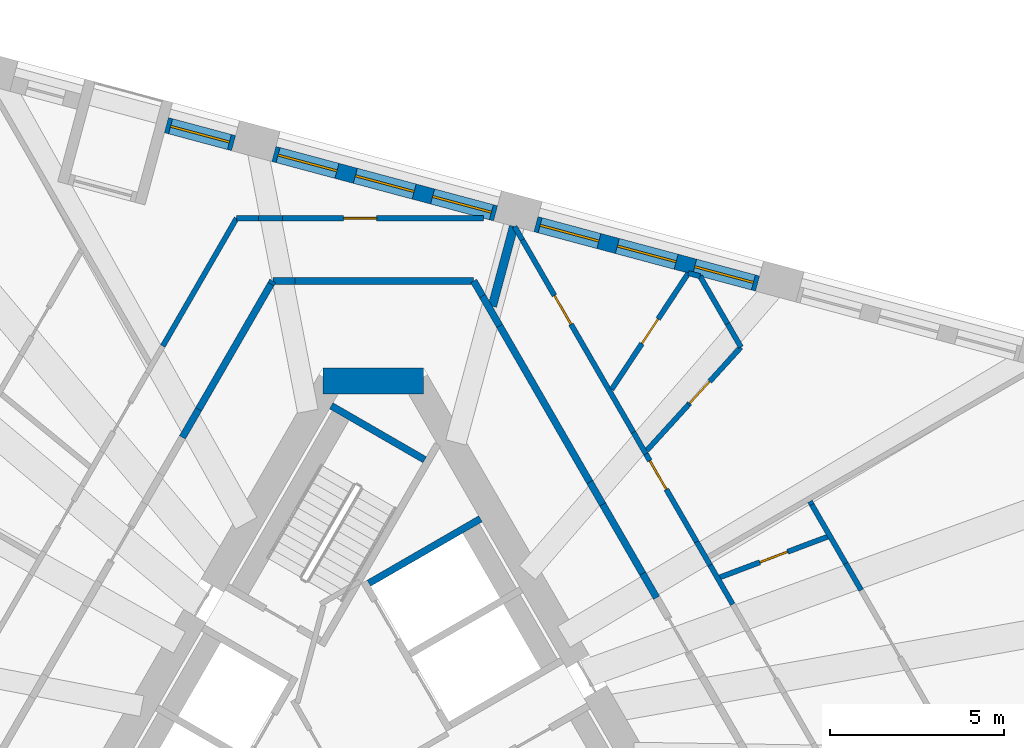
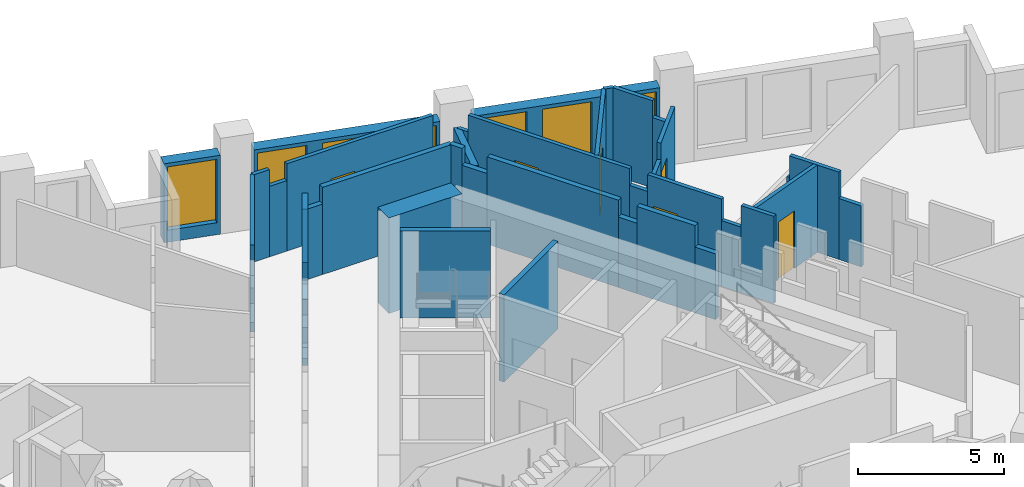
# One storey, part 8 of 13: 38 walls, 7 windows, 6 doors, 13 openings.
"""IFC4 building model written with IfcOpenShell, lengths in metres."""

from ifc_helpers import new_model, si_unit, direction, frame, frame_2d, origin, place, context, subcontext, project, spatial, rectangle, extrude, material, layer, layer_set, type_object, element, fill, save


model = new_model("IFC4")

# Units and contexts
model_context = context("Model", 3, precision=1e-05, world=origin(), true_north=direction((0.0, 1.0)))
body_context = subcontext(model_context, "Body", "Model", "MODEL_VIEW")
ifc_project = project(units=[si_unit("LENGTHUNIT", "METRE"), si_unit("AREAUNIT", "SQUARE_METRE"), si_unit("VOLUMEUNIT", "CUBIC_METRE"), si_unit("PLANEANGLEUNIT", "RADIAN"), si_unit("MASSUNIT", "GRAM", prefix="KILO")], contexts=[model_context])

# Site, building, storey
site_placement = place(None, origin())
site = spatial("IfcSite", under=ifc_project, at=site_placement, CompositionType="ELEMENT")
building_placement = place(site_placement, origin())
building = spatial("IfcBuilding", under=site, at=building_placement, Name="Tramontana Tower", CompositionType="ELEMENT")
storey_placement = place(building_placement, frame((0.0, 0.0, 204.0)))
storey = spatial("IfcBuildingStorey", under=building, at=storey_placement, Name="L47", CompositionType="ELEMENT", Elevation=204.0)

# Walls
ifc_material_1 = material(Name="Concrete 70 MPa", Category="concrete")
ifc_layer_1 = layer(ifc_material_1, 0.75)
ifc_layer_set_1 = layer_set([ifc_layer_1], Name="Core wall 750 70 MPa")
wall_type_1 = type_object("IfcWallType", Name="Core wall 750 70 MPa", PredefinedType="SHEAR", material=ifc_layer_set_1)
wall_1_placement = place(storey_placement, frame((1.443359375, 10.625, 0.0), z_axis=(0.0, 0.0, 1.0), x_axis=(-1.0, 0.0, 0.0)))
element("IfcWall", 1, at=wall_1_placement, inside=storey, type_object=wall_type_1, Name="Core wall C0 L47", PredefinedType="SHEAR", context=body_context, shape_type="SweptSolid", body=[
    extrude(rectangle(XDim=2.88671875, YDim=0.75, at=frame_2d((1.443359375, 0.0))), origin(), (0.0, 0.0, 1.0), 4.0),
])
ifc_material_2 = material(Name="Blockwork", Category="masonry")
ifc_layer_2 = layer(ifc_material_2, 0.199951171875)
ifc_layer_set_2 = layer_set([ifc_layer_2], Name="ENTRY WALL 200")
wall_type_2 = type_object("IfcWallType", Name="ENTRY WALL 200", PredefinedType="SOLIDWALL", material=ifc_layer_set_2)
wall_2_placement = place(storey_placement, frame((2.88671875, 13.5, 0.0), z_axis=(0.0, 0.0, 1.0), x_axis=(0.500002592159, -0.866023907196, 0.0)))
element("IfcWall", 2, at=wall_2_placement, inside=storey, type_object=wall_type_2, Name="Wall v50-ew0-0", PredefinedType="SOLIDWALL", context=body_context, shape_type="SweptSolid", body=[
    extrude(rectangle(XDim=0.5029296875, YDim=0.199951171875, at=frame_2d((0.25146484375, 0.0))), origin(), (0.0, 0.0, 1.0), 3.64990234375),
])
wall_3_placement = place(storey_placement, frame((3.13818359375, 13.064453125, 0.0), z_axis=(0.0, 0.0, 1.0), x_axis=(0.500063959222, -0.865988473761, 0.0)))
element("IfcWall", 3, at=wall_3_placement, inside=storey, type_object=wall_type_2, Name="Wall v50-ew0-1", PredefinedType="SOLIDWALL", context=body_context, shape_type="SweptSolid", body=[
    extrude(rectangle(XDim=0.989990234375, YDim=0.199951171875, at=frame_2d((0.4951171875, 0.0))), origin(), (0.0, 0.0, 1.0), 2.949951171875),
])
wall_4_placement = place(storey_placement, frame((3.63330078125, 12.20703125, 0.0), z_axis=(0.0, 0.0, 1.0), x_axis=(0.499990271856, -0.866031020258, 0.0)))
element("IfcWall", 4, at=wall_4_placement, inside=storey, type_object=wall_type_2, Name="Wall v50-ew0-2", PredefinedType="SOLIDWALL", context=body_context, shape_type="SweptSolid", body=[
    extrude(rectangle(XDim=5.181640625, YDim=0.199951171875, at=frame_2d((2.5908203125, 0.0))), origin(), (0.0, 0.0, 1.0), 3.64990234375),
])
wall_5_placement = place(storey_placement, frame((6.22412109375, 7.719482421875, 0.0), z_axis=(0.0, 0.0, 1.0), x_axis=(0.499931655587, -0.866064858854, 0.0)))
element("IfcWall", 5, at=wall_5_placement, inside=storey, type_object=wall_type_2, Name="Wall v50-ew0-3", PredefinedType="SOLIDWALL", context=body_context, shape_type="SweptSolid", body=[
    extrude(rectangle(XDim=0.74072265625, YDim=0.199951171875, at=frame_2d((0.370361328125, 0.0))), origin(), (0.0, 0.0, 1.0), 2.949951171875),
])
wall_6_placement = place(storey_placement, frame((6.594482421875, 7.077880859375, 0.0), z_axis=(0.0, 0.0, 1.0), x_axis=(0.500013761451, -0.866017458461, 0.0)))
element("IfcWall", 6, at=wall_6_placement, inside=storey, type_object=wall_type_2, Name="Wall v50-ew0-4", PredefinedType="SOLIDWALL", context=body_context, shape_type="SweptSolid", body=[
    extrude(rectangle(XDim=2.29736328125, YDim=0.199951171875, at=frame_2d((1.148681640625, 0.0))), origin(), (0.0, 0.0, 1.0), 3.64990234375),
])
wall_7_placement = place(storey_placement, frame((7.7431640625, 5.08837890625, 0.0), z_axis=(0.0, 0.0, 1.0), x_axis=(0.500109828528, -0.865961984968, 0.0)))
element("IfcWall", 7, at=wall_7_placement, inside=storey, type_object=wall_type_2, Name="Wall v50-ew0-5", PredefinedType="SOLIDWALL", context=body_context, shape_type="SweptSolid", body=[
    extrude(rectangle(XDim=0.800048828125, YDim=0.199951171875, at=frame_2d((0.39990234375, 0.0))), origin(), (0.0, 0.0, 1.0), 2.75),
])
wall_8_placement = place(storey_placement, frame((-5.482666015625, 9.003662109375, 0.0), z_axis=(0.0, 0.0, 1.0), x_axis=(0.499971966783, 0.866041588165, 0.0)))
element("IfcWall", 8, at=wall_8_placement, inside=storey, type_object=wall_type_2, Name="Wall v50-ew4-11", PredefinedType="SOLIDWALL", context=body_context, shape_type="SweptSolid", body=[
    extrude(rectangle(XDim=0.931640625, YDim=0.199951171875, at=frame_2d((0.4658203125, 0.0))), origin(), (0.0, 0.0, 1.0), 2.75),
])
wall_9_placement = place(storey_placement, frame((-5.016845703125, 9.810546875, 0.0), z_axis=(0.0, 0.0, 1.0), x_axis=(0.499993700073, 0.866029041019, 0.0)))
element("IfcWall", 9, at=wall_9_placement, inside=storey, type_object=wall_type_2, Name="Wall v50-ew4-12", PredefinedType="SOLIDWALL", context=body_context, shape_type="SweptSolid", body=[
    extrude(rectangle(XDim=4.1552734375, YDim=0.199951171875, at=frame_2d((2.07763671875, 0.0))), origin(), (0.0, 0.0, 1.0), 3.64990234375),
])
wall_10_placement = place(storey_placement, frame((-2.939208984375, 13.4091796875, 0.0), z_axis=(0.0, 0.0, 1.0), x_axis=(0.500393920955, 0.865797853931, 0.0)))
element("IfcWall", 10, at=wall_10_placement, inside=storey, type_object=wall_type_2, Name="Wall v50-ew4-13", PredefinedType="SOLIDWALL", context=body_context, shape_type="SweptSolid", body=[
    extrude(rectangle(XDim=0.10498046875, YDim=0.199951171875, at=frame_2d((0.052490234375, 0.0))), origin(), (0.0, 0.0, 1.0), 2.949951171875),
])
wall_11_placement = place(storey_placement, frame((-2.88671875, 13.5, 0.0), z_axis=(0.0, 0.0, 1.0), x_axis=(1.0, 0.0, 0.0)))
element("IfcWall", 11, at=wall_11_placement, inside=storey, type_object=wall_type_2, Name="Wall v50-ew5-0", PredefinedType="SOLIDWALL", context=body_context, shape_type="SweptSolid", body=[
    extrude(rectangle(XDim=0.642822265625, YDim=0.199951171875, at=frame_2d((0.3212890625, 0.0))), origin(), (0.0, 0.0, 1.0), 2.949951171875),
])
wall_12_placement = place(storey_placement, frame((-2.243896484375, 13.5, 0.0), z_axis=(0.0, 0.0, 1.0), x_axis=(1.0, 0.0, 0.0)))
element("IfcWall", 12, at=wall_12_placement, inside=storey, type_object=wall_type_2, Name="Wall v50-ew5-1", PredefinedType="SOLIDWALL", context=body_context, shape_type="SweptSolid", body=[
    extrude(rectangle(XDim=5.130615234375, YDim=0.199951171875, at=frame_2d((2.5654296875, 0.0))), origin(), (0.0, 0.0, 1.0), 3.64990234375),
])

# Wall, openings, windows
ifc_material_3 = material(Name="Precast concrete 60 MPa", Category="concrete")
ifc_layer_3 = layer(ifc_material_3, 0.449951171875)
ifc_layer_set_3 = layer_set([ifc_layer_3], Name="Precast concrete 60 MPa, 450 mm")
wall_type_3 = type_object("IfcWallType", Name="EW1 Stone-faced precast wall 450", PredefinedType="SOLIDWALL", material=ifc_layer_set_3)
wall_13_placement = place(storey_placement, frame((11.044921875, 13.423828125, 0.0), z_axis=(0.0, 0.0, 1.0), x_axis=(-0.965933178973, 0.258791602952, 0.0)))
wall_13 = element("IfcWall", 13, at=wall_13_placement, inside=storey, type_object=wall_type_3, Name="External wall L47 face 2 bay 3", PredefinedType="SOLIDWALL", context=body_context, shape_type="SweptSolid", body=[
    extrude(rectangle(XDim=6.59423828125, YDim=0.449951171875, at=frame_2d((3.297119140625, 0.0))), origin(), (0.0, 0.0, 1.0), 3.300048828125),
])
opening_1_placement = place(wall_13_placement, frame((0.1240234375, 0.0, 0.5)))
opening_1 = element("IfcOpeningElement", 14, at=opening_1_placement, cuts=wall_13, Name="Opening M2", PredefinedType="OPENING", context=body_context, shape_type="SweptSolid", body=[
    extrude(rectangle(XDim=1.75, YDim=2.64990234375, at=frame_2d((0.875, 1.324951171875))), frame((0.0, 0.23486328125, 0.0), z_axis=(0.0, -1.0, 0.0), x_axis=(1.0, 0.0, 0.0)), (0.0, 0.0, 1.0), 0.469970703125),
])
opening_2_placement = place(wall_13_placement, frame((2.422119140625, 0.0, 0.5)))
opening_2 = element("IfcOpeningElement", 15, at=opening_2_placement, cuts=wall_13, Name="Opening M2", PredefinedType="OPENING", context=body_context, shape_type="SweptSolid", body=[
    extrude(rectangle(XDim=1.75, YDim=2.64990234375, at=frame_2d((0.875, 1.324951171875))), frame((0.0, 0.23486328125, 0.0), z_axis=(0.0, -1.0, 0.0), x_axis=(1.0, 0.0, 0.0)), (0.0, 0.0, 1.0), 0.469970703125),
])
opening_3_placement = place(wall_13_placement, frame((4.72021484375, 0.0, 0.5)))
opening_3 = element("IfcOpeningElement", 16, at=opening_3_placement, cuts=wall_13, Name="Opening M2", PredefinedType="OPENING", context=body_context, shape_type="SweptSolid", body=[
    extrude(rectangle(XDim=1.75, YDim=2.64990234375, at=frame_2d((0.875, 1.324951171875))), frame((0.0, 0.23486328125, 0.0), z_axis=(0.0, -1.0, 0.0), x_axis=(1.0, 0.0, 0.0)), (0.0, 0.0, 1.0), 0.469970703125),
])
ifc_material_4 = material(Name="Aluminum frame, double glazing unit", Category="aluminium")
window_type = type_object("IfcWindowType", Name="M2 Window 1.75 x 2.65", PartitioningType="SINGLE_PANEL", PredefinedType="WINDOW", material=ifc_material_4)
window_1_placement = place(opening_1_placement, origin())
window_1 = element("IfcWindow", 17, at=window_1_placement, inside=storey, type_object=window_type, Name="Window M2 L47 face 2 module 7", OverallHeight=2.64990234375, OverallWidth=1.75, PartitioningType="SINGLE_PANEL", PredefinedType="WINDOW", context=body_context, shape_type="SweptSolid", body=[
    extrude(rectangle(XDim=1.75, YDim=2.64990234375, at=frame_2d((0.875, 1.324951171875))), frame((0.0, 0.030029296875, 0.0), z_axis=(0.0, -1.0, 0.0), x_axis=(1.0, 0.0, 0.0)), (0.0, 0.0, 1.0), 0.06005859375),
])
fill(opening_1, window_1)
window_2_placement = place(opening_2_placement, origin())
window_2 = element("IfcWindow", 18, at=window_2_placement, inside=storey, type_object=window_type, Name="Window M2 L47 face 2 module 8", OverallHeight=2.64990234375, OverallWidth=1.75, PartitioningType="SINGLE_PANEL", PredefinedType="WINDOW", context=body_context, shape_type="SweptSolid", body=[
    extrude(rectangle(XDim=1.75, YDim=2.64990234375, at=frame_2d((0.875, 1.324951171875))), frame((0.0, 0.030029296875, 0.0), z_axis=(0.0, -1.0, 0.0), x_axis=(1.0, 0.0, 0.0)), (0.0, 0.0, 1.0), 0.06005859375),
])
fill(opening_2, window_2)
window_3_placement = place(opening_3_placement, origin())
window_3 = element("IfcWindow", 19, at=window_3_placement, inside=storey, type_object=window_type, Name="Window M2 L47 face 2 module 9", OverallHeight=2.64990234375, OverallWidth=1.75, PartitioningType="SINGLE_PANEL", PredefinedType="WINDOW", context=body_context, shape_type="SweptSolid", body=[
    extrude(rectangle(XDim=1.75, YDim=2.64990234375, at=frame_2d((0.875, 1.324951171875))), frame((0.0, 0.030029296875, 0.0), z_axis=(0.0, -1.0, 0.0), x_axis=(1.0, 0.0, 0.0)), (0.0, 0.0, 1.0), 0.06005859375),
])
fill(opening_3, window_3)

wall_14_placement = place(storey_placement, frame((3.516357421875, 15.441162109375, 0.0), z_axis=(0.0, 0.0, 1.0), x_axis=(-0.965933178973, 0.258791602952, 0.0)))
wall_14 = element("IfcWall", 20, at=wall_14_placement, inside=storey, type_object=wall_type_3, Name="External wall L47 face 2 bay 4", PredefinedType="SOLIDWALL", context=body_context, shape_type="SweptSolid", body=[
    extrude(rectangle(XDim=6.59423828125, YDim=0.449951171875, at=frame_2d((3.297119140625, 0.0))), origin(), (0.0, 0.0, 1.0), 3.300048828125),
])
opening_4_placement = place(wall_14_placement, frame((0.1240234375, 0.0, 0.5)))
opening_4 = element("IfcOpeningElement", 21, at=opening_4_placement, cuts=wall_14, Name="Opening M2", PredefinedType="OPENING", context=body_context, shape_type="SweptSolid", body=[
    extrude(rectangle(XDim=1.75, YDim=2.64990234375, at=frame_2d((0.875, 1.324951171875))), frame((0.0, 0.23486328125, 0.0), z_axis=(0.0, -1.0, 0.0), x_axis=(1.0, 0.0, 0.0)), (0.0, 0.0, 1.0), 0.469970703125),
])
opening_5_placement = place(wall_14_placement, frame((2.422119140625, 0.0, 0.5)))
opening_5 = element("IfcOpeningElement", 22, at=opening_5_placement, cuts=wall_14, Name="Opening M2", PredefinedType="OPENING", context=body_context, shape_type="SweptSolid", body=[
    extrude(rectangle(XDim=1.75, YDim=2.64990234375, at=frame_2d((0.875, 1.324951171875))), frame((0.0, 0.23486328125, 0.0), z_axis=(0.0, -1.0, 0.0), x_axis=(1.0, 0.0, 0.0)), (0.0, 0.0, 1.0), 0.469970703125),
])
opening_6_placement = place(wall_14_placement, frame((4.72021484375, 0.0, 0.5)))
opening_6 = element("IfcOpeningElement", 23, at=opening_6_placement, cuts=wall_14, Name="Opening M2", PredefinedType="OPENING", context=body_context, shape_type="SweptSolid", body=[
    extrude(rectangle(XDim=1.75, YDim=2.64990234375, at=frame_2d((0.875, 1.324951171875))), frame((0.0, 0.23486328125, 0.0), z_axis=(0.0, -1.0, 0.0), x_axis=(1.0, 0.0, 0.0)), (0.0, 0.0, 1.0), 0.469970703125),
])
window_4_placement = place(opening_4_placement, origin())
window_4 = element("IfcWindow", 24, at=window_4_placement, inside=storey, type_object=window_type, Name="Window M2 L47 face 2 module 10", OverallHeight=2.64990234375, OverallWidth=1.75, PartitioningType="SINGLE_PANEL", PredefinedType="WINDOW", context=body_context, shape_type="SweptSolid", body=[
    extrude(rectangle(XDim=1.75, YDim=2.64990234375, at=frame_2d((0.875, 1.324951171875))), frame((0.0, 0.030029296875, 0.0), z_axis=(0.0, -1.0, 0.0), x_axis=(1.0, 0.0, 0.0)), (0.0, 0.0, 1.0), 0.06005859375),
])
fill(opening_4, window_4)
window_5_placement = place(opening_5_placement, origin())
window_5 = element("IfcWindow", 25, at=window_5_placement, inside=storey, type_object=window_type, Name="Window M2 L47 face 2 module 11", OverallHeight=2.64990234375, OverallWidth=1.75, PartitioningType="SINGLE_PANEL", PredefinedType="WINDOW", context=body_context, shape_type="SweptSolid", body=[
    extrude(rectangle(XDim=1.75, YDim=2.64990234375, at=frame_2d((0.875, 1.324951171875))), frame((0.0, 0.030029296875, 0.0), z_axis=(0.0, -1.0, 0.0), x_axis=(1.0, 0.0, 0.0)), (0.0, 0.0, 1.0), 0.06005859375),
])
fill(opening_5, window_5)
window_6_placement = place(opening_6_placement, origin())
window_6 = element("IfcWindow", 26, at=window_6_placement, inside=storey, type_object=window_type, Name="Window M2 L47 face 2 module 12", OverallHeight=2.64990234375, OverallWidth=1.75, PartitioningType="SINGLE_PANEL", PredefinedType="WINDOW", context=body_context, shape_type="SweptSolid", body=[
    extrude(rectangle(XDim=1.75, YDim=2.64990234375, at=frame_2d((0.875, 1.324951171875))), frame((0.0, 0.030029296875, 0.0), z_axis=(0.0, -1.0, 0.0), x_axis=(1.0, 0.0, 0.0)), (0.0, 0.0, 1.0), 0.06005859375),
])
fill(opening_6, window_6)

# Wall, opening, window
wall_15_placement = place(storey_placement, frame((-4.012451171875, 17.458251953125, 0.0), z_axis=(0.0, 0.0, 1.0), x_axis=(-0.965899500874, 0.25891727291, 0.0)))
wall_15 = element("IfcWall", 27, at=wall_15_placement, inside=storey, type_object=wall_type_3, Name="External wall L47 face 2 bay 5", PredefinedType="SOLIDWALL", context=body_context, shape_type="SweptSolid", body=[
    extrude(rectangle(XDim=1.998046875, YDim=0.449951171875, at=frame_2d((0.9990234375, 0.0))), origin(), (0.0, 0.0, 1.0), 3.300048828125),
])
opening_7_placement = place(wall_15_placement, frame((0.1240234375, 0.0, 0.5)))
opening_7 = element("IfcOpeningElement", 28, at=opening_7_placement, cuts=wall_15, Name="Opening M2", PredefinedType="OPENING", context=body_context, shape_type="SweptSolid", body=[
    extrude(rectangle(XDim=1.75, YDim=2.64990234375, at=frame_2d((0.875, 1.324951171875))), frame((0.0, 0.23486328125, 0.0), z_axis=(0.0, -1.0, 0.0), x_axis=(1.0, 0.0, 0.0)), (0.0, 0.0, 1.0), 0.469970703125),
])
window_7_placement = place(opening_7_placement, origin())
window_7 = element("IfcWindow", 29, at=window_7_placement, inside=storey, type_object=window_type, Name="Window M2 L47 face 2 module 13", OverallHeight=2.64990234375, OverallWidth=1.75, PartitioningType="SINGLE_PANEL", PredefinedType="WINDOW", context=body_context, shape_type="SweptSolid", body=[
    extrude(rectangle(XDim=1.75, YDim=2.64990234375, at=frame_2d((0.875, 1.324951171875))), frame((0.0, 0.030029296875, 0.0), z_axis=(0.0, -1.0, 0.0), x_axis=(1.0, 0.0, 0.0)), (0.0, 0.0, 1.0), 0.06005859375),
])
fill(opening_7, window_7)

# Walls
ifc_material_5 = material(Name="Gypsum board partition")
ifc_layer_4 = layer(ifc_material_5, 0.14990234375)
ifc_layer_set_4 = layer_set([ifc_layer_4], Name="PARTITION 150")
wall_type_4 = type_object("IfcWallType", Name="PARTITION 150", PredefinedType="PARTITIONING", material=ifc_layer_set_4)
wall_16_placement = place(storey_placement, frame((-6.045654296875, 11.628662109375, 0.0), z_axis=(0.0, 0.0, 1.0), x_axis=(0.499991648869, 0.866030225258, 0.0)))
element("IfcWall", 30, at=wall_16_placement, inside=storey, type_object=wall_type_4, Name="Wall v50-pw00-11", PredefinedType="PARTITIONING", context=body_context, shape_type="SweptSolid", body=[
    extrude(rectangle(XDim=4.2392578125, YDim=0.14990234375, at=frame_2d((2.11962890625, 0.0))), origin(), (0.0, 0.0, 1.0), 3.64990234375),
])
wall_17_placement = place(storey_placement, frame((-3.926025390625, 15.300048828125, 0.0), z_axis=(0.0, 0.0, 1.0), x_axis=(1.0, 0.0, 0.0)))
element("IfcWall", 31, at=wall_17_placement, inside=storey, type_object=wall_type_4, Name="Wall v50-pw08-0", PredefinedType="PARTITIONING", context=body_context, shape_type="SweptSolid", body=[
    extrude(rectangle(XDim=0.635498046875, YDim=0.14990234375, at=frame_2d((0.31787109375, 0.0))), origin(), (0.0, 0.0, 1.0), 3.64990234375),
])
wall_18_placement = place(storey_placement, frame((-3.29052734375, 15.300048828125, 0.0), z_axis=(0.0, 0.0, 1.0), x_axis=(1.0, 0.0, 0.0)))
element("IfcWall", 32, at=wall_18_placement, inside=storey, type_object=wall_type_4, Name="Wall v50-pw08-1", PredefinedType="PARTITIONING", context=body_context, shape_type="SweptSolid", body=[
    extrude(rectangle(XDim=0.687255859375, YDim=0.14990234375, at=frame_2d((0.34375, 0.0))), origin(), (0.0, 0.0, 1.0), 2.949951171875),
])

# Wall, opening, door
wall_19_placement = place(storey_placement, frame((3.17333984375, 15.300048828125, 0.0), z_axis=(0.0, 0.0, 1.0), x_axis=(-1.0, 0.0, 0.0)))
wall_19 = element("IfcWall", 33, at=wall_19_placement, inside=storey, type_object=wall_type_4, Name="Wall v50-pw08-2", PredefinedType="PARTITIONING", context=body_context, shape_type="SweptSolid", body=[
    extrude(rectangle(XDim=5.776611328125, YDim=0.14990234375, at=frame_2d((2.88818359375, 0.0))), origin(), (0.0, 0.0, 1.0), 3.64990234375),
])
opening_8_placement = place(wall_19_placement, frame((3.07470703125, 0.0, 0.0)))
opening_8 = element("IfcOpeningElement", 34, at=opening_8_placement, cuts=wall_19, Name="Opening B5A-03", PredefinedType="OPENING", context=body_context, shape_type="SweptSolid", body=[
    extrude(rectangle(XDim=0.949951171875, YDim=2.39990234375, at=frame_2d((0.47509765625, 1.199951171875))), frame((0.0, 0.0849609375, 0.0), z_axis=(0.0, -1.0, 0.0), x_axis=(1.0, 0.0, 0.0)), (0.0, 0.0, 1.0), 0.169921875),
])
ifc_material_6 = material(Name="Painted timber", Category="wood")
door_type_1 = type_object("IfcDoorType", Name="DOOR ROOM 950", OperationType="SINGLE_SWING_LEFT", PredefinedType="DOOR", material=ifc_material_6)
door_1_placement = place(opening_8_placement, origin())
door_1 = element("IfcDoor", 35, at=door_1_placement, inside=storey, type_object=door_type_1, Name="Door B5A-03", OperationType="SINGLE_SWING_LEFT", OverallHeight=2.39990234375, OverallWidth=0.949951171875, PredefinedType="DOOR", context=body_context, shape_type="SweptSolid", body=[
    extrude(rectangle(XDim=0.949951171875, YDim=2.39990234375, at=frame_2d((0.47509765625, 1.199951171875))), frame((0.0, 0.02490234375, 0.0), z_axis=(0.0, -1.0, 0.0), x_axis=(1.0, 0.0, 0.0)), (0.0, 0.0, 1.0), 0.050048828125),
])
fill(opening_8, door_1)

# Wall
wall_20_placement = place(storey_placement, frame((4.063720703125, 15.0615234375, 0.0), z_axis=(0.0, 0.0, 1.0), x_axis=(0.499786622332, -0.866148562395, 0.0)))
element("IfcWall", 36, at=wall_20_placement, inside=storey, type_object=wall_type_4, Name="Wall v50-pw13-0", PredefinedType="PARTITIONING", context=body_context, shape_type="SweptSolid", body=[
    extrude(rectangle(XDim=0.439208984375, YDim=0.14990234375, at=frame_2d((0.2197265625, 0.0))), origin(), (0.0, 0.0, 1.0), 2.949951171875),
])

# Wall, opening, door
wall_21_placement = place(storey_placement, frame((4.283203125, 14.68115234375, 0.0), z_axis=(0.0, 0.0, 1.0), x_axis=(0.500010206181, -0.866019511163, 0.0)))
wall_21 = element("IfcWall", 37, at=wall_21_placement, inside=storey, type_object=wall_type_4, Name="Wall v50-pw13-1", PredefinedType="PARTITIONING", context=body_context, shape_type="SweptSolid", body=[
    extrude(rectangle(XDim=6.389404296875, YDim=0.14990234375, at=frame_2d((3.19482421875, 0.0))), origin(), (0.0, 0.0, 1.0), 3.64990234375),
])
opening_9_placement = place(wall_21_placement, frame((1.849365234375, 0.0, 0.0)))
opening_9 = element("IfcOpeningElement", 38, at=opening_9_placement, cuts=wall_21, Name="Opening B5A-14", PredefinedType="OPENING", context=body_context, shape_type="SweptSolid", body=[
    extrude(rectangle(XDim=0.949951171875, YDim=2.39990234375, at=frame_2d((0.47509765625, 1.199951171875))), frame((0.0, 0.0849609375, 0.0), z_axis=(0.0, -1.0, 0.0), x_axis=(1.0, 0.0, 0.0)), (0.0, 0.0, 1.0), 0.169921875),
])
door_2_placement = place(opening_9_placement, origin())
door_2 = element("IfcDoor", 39, at=door_2_placement, inside=storey, type_object=door_type_1, Name="Door B5A-14", OperationType="SINGLE_SWING_RIGHT", OverallHeight=2.39990234375, OverallWidth=0.949951171875, PredefinedType="DOOR", context=body_context, shape_type="SweptSolid", body=[
    extrude(rectangle(XDim=0.949951171875, YDim=2.39990234375, at=frame_2d((0.47509765625, 1.199951171875))), frame((0.0, 0.02490234375, 0.0), z_axis=(0.0, -1.0, 0.0), x_axis=(1.0, 0.0, 0.0)), (0.0, 0.0, 1.0), 0.050048828125),
])
fill(opening_9, door_2)

# Wall
wall_22_placement = place(storey_placement, frame((7.47802734375, 9.147705078125, 0.0), z_axis=(0.0, 0.0, 1.0), x_axis=(0.499998569178, -0.866026229868, 0.0)))
element("IfcWall", 40, at=wall_22_placement, inside=storey, type_object=wall_type_4, Name="Wall v50-pw13-2", PredefinedType="PARTITIONING", context=body_context, shape_type="SweptSolid", body=[
    extrude(rectangle(XDim=0.71435546875, YDim=0.14990234375, at=frame_2d((0.357177734375, 0.0))), origin(), (0.0, 0.0, 1.0), 2.949951171875),
])

# Wall, opening, door
wall_23_placement = place(storey_placement, frame((7.835205078125, 8.529052734375, 0.0), z_axis=(0.0, 0.0, 1.0), x_axis=(0.49998782916, -0.866032430508, 0.0)))
wall_23 = element("IfcWall", 41, at=wall_23_placement, inside=storey, type_object=wall_type_4, Name="Wall v50-pw13-3", PredefinedType="PARTITIONING", context=body_context, shape_type="SweptSolid", body=[
    extrude(rectangle(XDim=2.919921875, YDim=0.14990234375, at=frame_2d((1.4599609375, 0.0))), origin(), (0.0, 0.0, 1.0), 3.64990234375),
])
opening_10_placement = place(wall_23_placement, frame((0.227783203125, 0.0, 0.0)))
opening_10 = element("IfcOpeningElement", 42, at=opening_10_placement, cuts=wall_23, Name="Opening B5A-13", PredefinedType="OPENING", context=body_context, shape_type="SweptSolid", body=[
    extrude(rectangle(XDim=0.949951171875, YDim=2.39990234375, at=frame_2d((0.47509765625, 1.199951171875))), frame((0.0, 0.0849609375, 0.0), z_axis=(0.0, -1.0, 0.0), x_axis=(1.0, 0.0, 0.0)), (0.0, 0.0, 1.0), 0.169921875),
])
door_3_placement = place(opening_10_placement, origin())
door_3 = element("IfcDoor", 43, at=door_3_placement, inside=storey, type_object=door_type_1, Name="Door B5A-13", OperationType="SINGLE_SWING_LEFT", OverallHeight=2.39990234375, OverallWidth=0.949951171875, PredefinedType="DOOR", context=body_context, shape_type="SweptSolid", body=[
    extrude(rectangle(XDim=0.949951171875, YDim=2.39990234375, at=frame_2d((0.47509765625, 1.199951171875))), frame((0.0, 0.02490234375, 0.0), z_axis=(0.0, -1.0, 0.0), x_axis=(1.0, 0.0, 0.0)), (0.0, 0.0, 1.0), 0.050048828125),
])
fill(opening_10, door_3)

# Walls
wall_24_placement = place(storey_placement, frame((9.295166015625, 6.000244140625, 0.0), z_axis=(0.0, 0.0, 1.0), x_axis=(0.500204125617, -0.865907519724, 0.0)))
element("IfcWall", 44, at=wall_24_placement, inside=storey, type_object=wall_type_4, Name="Wall v50-pw13-4", PredefinedType="PARTITIONING", context=body_context, shape_type="SweptSolid", body=[
    extrude(rectangle(XDim=0.775146484375, YDim=0.14990234375, at=frame_2d((0.3876953125, 0.0))), origin(), (0.0, 0.0, 1.0), 2.75),
])
wall_25_placement = place(storey_placement, frame((9.682861328125, 5.3291015625, 0.0), z_axis=(0.0, 0.0, 1.0), x_axis=(0.499787711288, -0.866147934042, 0.0)))
element("IfcWall", 45, at=wall_25_placement, inside=storey, type_object=wall_type_4, Name="Wall v50-pw13-5", PredefinedType="PARTITIONING", context=body_context, shape_type="SweptSolid", body=[
    extrude(rectangle(XDim=1.29541015625, YDim=0.14990234375, at=frame_2d((0.647705078125, 0.0))), origin(), (0.0, 0.0, 1.0), 3.64990234375),
])

# Wall, opening, door
wall_26_placement = place(storey_placement, frame((9.056640625, 13.7236328125, 0.0), z_axis=(0.0, 0.0, 1.0), x_axis=(-0.550767438832, -0.834658749623, 0.0)))
wall_26 = element("IfcWall", 46, at=wall_26_placement, inside=storey, type_object=wall_type_4, Name="Wall v50-pw16", PredefinedType="PARTITIONING", context=body_context, shape_type="SweptSolid", body=[
    extrude(rectangle(XDim=4.003173828125, YDim=0.14990234375, at=frame_2d((2.00146484375, 0.0))), origin(), (0.0, 0.0, 1.0), 3.64990234375),
])
opening_11_placement = place(wall_26_placement, frame((1.57666015625, 0.0, 0.0)))
opening_11 = element("IfcOpeningElement", 47, at=opening_11_placement, cuts=wall_26, Name="Opening B5A-16", PredefinedType="OPENING", context=body_context, shape_type="SweptSolid", body=[
    extrude(rectangle(XDim=0.85009765625, YDim=2.39990234375, at=frame_2d((0.425048828125, 1.199951171875))), frame((0.0, 0.0849609375, 0.0), z_axis=(0.0, -1.0, 0.0), x_axis=(1.0, 0.0, 0.0)), (0.0, 0.0, 1.0), 0.169921875),
])
ifc_material_7 = material(Name="Painted timber", Category="wood")
door_type_2 = type_object("IfcDoorType", Name="DOOR BATH 850", OperationType="SINGLE_SWING_LEFT", PredefinedType="DOOR", material=ifc_material_7)
door_4_placement = place(opening_11_placement, origin())
door_4 = element("IfcDoor", 48, at=door_4_placement, inside=storey, type_object=door_type_2, Name="Door B5A-16", OperationType="SINGLE_SWING_RIGHT", OverallHeight=2.39990234375, OverallWidth=0.85009765625, PredefinedType="DOOR", context=body_context, shape_type="SweptSolid", body=[
    extrude(rectangle(XDim=0.85009765625, YDim=2.39990234375, at=frame_2d((0.425048828125, 1.199951171875))), frame((0.0, 0.02490234375, 0.0), z_axis=(0.0, -1.0, 0.0), x_axis=(1.0, 0.0, 0.0)), (0.0, 0.0, 1.0), 0.050048828125),
])
fill(opening_11, door_4)

# Walls
wall_27_placement = place(storey_placement, frame((9.056640625, 13.7236328125, 0.0), z_axis=(0.0, 0.0, 1.0), x_axis=(0.96594175785, -0.258759580387, 0.0)))
element("IfcWall", 49, at=wall_27_placement, inside=storey, type_object=wall_type_4, Name="Wall v50-pw18", PredefinedType="PARTITIONING", context=body_context, shape_type="SweptSolid", body=[
    extrude(rectangle(XDim=0.34619140625, YDim=0.14990234375, at=frame_2d((0.173095703125, 0.0))), origin(), (0.0, 0.0, 1.0), 3.64990234375),
])
wall_28_placement = place(storey_placement, frame((9.39111328125, 13.634033203125, 0.0), z_axis=(0.0, 0.0, 1.0), x_axis=(0.500048238042, -0.865997551747, 0.0)))
element("IfcWall", 50, at=wall_28_placement, inside=storey, type_object=wall_type_4, Name="Wall v50-pw20-0", PredefinedType="PARTITIONING", context=body_context, shape_type="SweptSolid", body=[
    extrude(rectangle(XDim=1.578369140625, YDim=0.14990234375, at=frame_2d((0.7890625, 0.0))), origin(), (0.0, 0.0, 1.0), 3.64990234375),
])
wall_29_placement = place(storey_placement, frame((10.180419921875, 12.26708984375, 0.0), z_axis=(0.0, 0.0, 1.0), x_axis=(0.499804398801, -0.866138304741, 0.0)))
element("IfcWall", 51, at=wall_29_placement, inside=storey, type_object=wall_type_4, Name="Wall v50-pw20-1", PredefinedType="PARTITIONING", context=body_context, shape_type="SweptSolid", body=[
    extrude(rectangle(XDim=0.773681640625, YDim=0.14990234375, at=frame_2d((0.38671875, 0.0))), origin(), (0.0, 0.0, 1.0), 2.949951171875),
])

# Wall, opening, door
wall_30_placement = place(storey_placement, frame((9.89892578125, 4.958740234375, 0.0), z_axis=(0.0, 0.0, 1.0), x_axis=(0.935727228965, 0.352724471752, 0.0)))
wall_30 = element("IfcWall", 52, at=wall_30_placement, inside=storey, type_object=wall_type_4, Name="Wall v50-pw22", PredefinedType="PARTITIONING", context=body_context, shape_type="SweptSolid", body=[
    extrude(rectangle(XDim=3.44140625, YDim=0.14990234375, at=frame_2d((1.720703125, 0.0))), origin(), (0.0, 0.0, 1.0), 3.64990234375),
])
opening_12_placement = place(wall_30_placement, frame((1.295654296875, 0.0, 0.0)))
opening_12 = element("IfcOpeningElement", 53, at=opening_12_placement, cuts=wall_30, Name="Opening B5A-21", PredefinedType="OPENING", context=body_context, shape_type="SweptSolid", body=[
    extrude(rectangle(XDim=0.85009765625, YDim=2.39990234375, at=frame_2d((0.425048828125, 1.199951171875))), frame((0.0, 0.0849609375, 0.0), z_axis=(0.0, -1.0, 0.0), x_axis=(1.0, 0.0, 0.0)), (0.0, 0.0, 1.0), 0.169921875),
])
door_5_placement = place(opening_12_placement, origin())
door_5 = element("IfcDoor", 54, at=door_5_placement, inside=storey, type_object=door_type_2, Name="Door B5A-21", OperationType="SINGLE_SWING_LEFT", OverallHeight=2.39990234375, OverallWidth=0.85009765625, PredefinedType="DOOR", context=body_context, shape_type="SweptSolid", body=[
    extrude(rectangle(XDim=0.85009765625, YDim=2.39990234375, at=frame_2d((0.425048828125, 1.199951171875))), frame((0.0, 0.02490234375, 0.0), z_axis=(0.0, -1.0, 0.0), x_axis=(1.0, 0.0, 0.0)), (0.0, 0.0, 1.0), 0.050048828125),
])
fill(opening_12, door_5)

wall_31_placement = place(storey_placement, frame((9.060302734375, 9.943359375, 0.0), z_axis=(0.0, 0.0, 1.0), x_axis=(0.673552274043, 0.739139590423, 0.0)))
wall_31 = element("IfcWall", 55, at=wall_31_placement, inside=storey, type_object=wall_type_4, Name="Wall v50-pw23-0", PredefinedType="PARTITIONING", context=body_context, shape_type="SweptSolid", body=[
    extrude(rectangle(XDim=2.237060546875, YDim=0.14990234375, at=frame_2d((1.11865234375, 0.0))), origin(), (0.0, 0.0, 1.0), 3.64990234375),
])
opening_13_placement = place(wall_31_placement, frame((0.05517578125, 0.0, 0.0)))
opening_13 = element("IfcOpeningElement", 56, at=opening_13_placement, cuts=wall_31, Name="Opening B5A-15", PredefinedType="OPENING", context=body_context, shape_type="SweptSolid", body=[
    extrude(rectangle(XDim=0.85009765625, YDim=2.39990234375, at=frame_2d((0.425048828125, 1.199951171875))), frame((0.0, 0.0849609375, 0.0), z_axis=(0.0, -1.0, 0.0), x_axis=(1.0, 0.0, 0.0)), (0.0, 0.0, 1.0), 0.169921875),
])
door_6_placement = place(opening_13_placement, origin())
door_6 = element("IfcDoor", 57, at=door_6_placement, inside=storey, type_object=door_type_2, Name="Door B5A-15", OperationType="SINGLE_SWING_LEFT", OverallHeight=2.39990234375, OverallWidth=0.85009765625, PredefinedType="DOOR", context=body_context, shape_type="SweptSolid", body=[
    extrude(rectangle(XDim=0.85009765625, YDim=2.39990234375, at=frame_2d((0.425048828125, 1.199951171875))), frame((0.0, 0.02490234375, 0.0), z_axis=(0.0, -1.0, 0.0), x_axis=(1.0, 0.0, 0.0)), (0.0, 0.0, 1.0), 0.050048828125),
])
fill(opening_13, door_6)

# Walls
wall_32_placement = place(storey_placement, frame((9.060302734375, 9.943359375, 0.0), z_axis=(0.0, 0.0, 1.0), x_axis=(-0.673506679072, -0.739181136966, 0.0)))
element("IfcWall", 58, at=wall_32_placement, inside=storey, type_object=wall_type_4, Name="Wall v50-pw23-1", PredefinedType="PARTITIONING", context=body_context, shape_type="SweptSolid", body=[
    extrude(rectangle(XDim=1.77685546875, YDim=0.14990234375, at=frame_2d((0.888427734375, 0.0))), origin(), (0.0, 0.0, 1.0), 2.949951171875),
])
wall_33_placement = place(storey_placement, frame((12.548828125, 7.164794921875, 0.0), z_axis=(0.0, 0.0, 1.0), x_axis=(0.501036270542, -0.865426285481, 0.0)))
element("IfcWall", 59, at=wall_33_placement, inside=storey, type_object=wall_type_4, Name="Wall v50-pw25-0", PredefinedType="PARTITIONING", context=body_context, shape_type="SweptSolid", body=[
    extrude(rectangle(XDim=0.107177734375, YDim=0.14990234375, at=frame_2d((0.0537109375, 0.0))), origin(), (0.0, 0.0, 1.0), 2.75),
])
wall_34_placement = place(storey_placement, frame((12.6025390625, 7.072021484375, 0.0), z_axis=(0.0, 0.0, 1.0), x_axis=(0.49995005938, -0.866054235095, 0.0)))
element("IfcWall", 60, at=wall_34_placement, inside=storey, type_object=wall_type_4, Name="Wall v50-pw25-1", PredefinedType="PARTITIONING", context=body_context, shape_type="SweptSolid", body=[
    extrude(rectangle(XDim=1.949951171875, YDim=0.14990234375, at=frame_2d((0.97509765625, 0.0))), origin(), (0.0, 0.0, 1.0), 3.64990234375),
])
wall_35_placement = place(storey_placement, frame((13.577392578125, 5.38330078125, 0.0), z_axis=(0.0, 0.0, 1.0), x_axis=(0.499920601425, -0.866071239721, 0.0)))
element("IfcWall", 61, at=wall_35_placement, inside=storey, type_object=wall_type_4, Name="Wall v50-pw25-2", PredefinedType="PARTITIONING", context=body_context, shape_type="SweptSolid", body=[
    extrude(rectangle(XDim=0.888916015625, YDim=0.14990234375, at=frame_2d((0.4443359375, 0.0))), origin(), (0.0, 0.0, 1.0), 2.550048828125),
])
ifc_material_8 = material(Name="Blockwork", Category="masonry")
ifc_layer_5 = layer(ifc_material_8, 0.25)
ifc_layer_set_5 = layer_set([ifc_layer_5], Name="PARTY WALL 250")
wall_type_5 = type_object("IfcWallType", Name="PARTY WALL 250", PredefinedType="SOLIDWALL", material=ifc_layer_set_5)
wall_36_placement = place(storey_placement, frame((4.03759765625, 15.068359375, 0.0), z_axis=(0.0, 0.0, 1.0), x_axis=(-0.258838766998, -0.965920541607, 0.0)))
element("IfcWall", 62, at=wall_36_placement, inside=storey, type_object=wall_type_5, Name="Wall v50-pw12-0", PredefinedType="SOLIDWALL", context=body_context, shape_type="SweptSolid", body=[
    extrude(rectangle(XDim=2.376953125, YDim=0.25, at=frame_2d((1.1884765625, 0.0))), origin(), (0.0, 0.0, 1.0), 2.949951171875),
])
ifc_material_9 = material(Name="Concrete 70 MPa", Category="concrete")
ifc_layer_6 = layer(ifc_material_9, 0.199951171875)
ifc_layer_set_6 = layer_set([ifc_layer_6], Name="Concrete 70 MPa, 200 mm")
wall_type_6 = type_object("IfcWallType", Name="RC STAIR AND SHAFT WALL 200", PredefinedType="SOLIDWALL", material=ifc_layer_set_6)
wall_37_placement = place(storey_placement, frame((1.478515625, 8.36083984375, 0.0), z_axis=(0.0, 0.0, 1.0), x_axis=(-0.86600983753, 0.500026960575, 0.0)))
element("IfcWall", 63, at=wall_37_placement, inside=storey, type_object=wall_type_6, Name="Wall st1-far", PredefinedType="SOLIDWALL", context=body_context, shape_type="SweptSolid", body=[
    extrude(rectangle(XDim=3.099853515625, YDim=0.199951171875, at=frame_2d((1.5498046875, 0.0))), origin(), (0.0, 0.0, 1.0), 3.64990234375),
])
wall_38_placement = place(storey_placement, frame((-0.123046875, 4.813232421875, 0.0), z_axis=(0.0, 0.0, 1.0), x_axis=(0.866000971088, 0.500042316284, 0.0)))
element("IfcWall", 64, at=wall_38_placement, inside=storey, type_object=wall_type_6, Name="Wall row2-side2", PredefinedType="SOLIDWALL", context=body_context, shape_type="SweptSolid", body=[
    extrude(rectangle(XDim=3.699951171875, YDim=0.199951171875, at=frame_2d((1.85009765625, 0.0))), origin(), (0.0, 0.0, 1.0), 3.64990234375),
])

save(model, "model.ifc")
